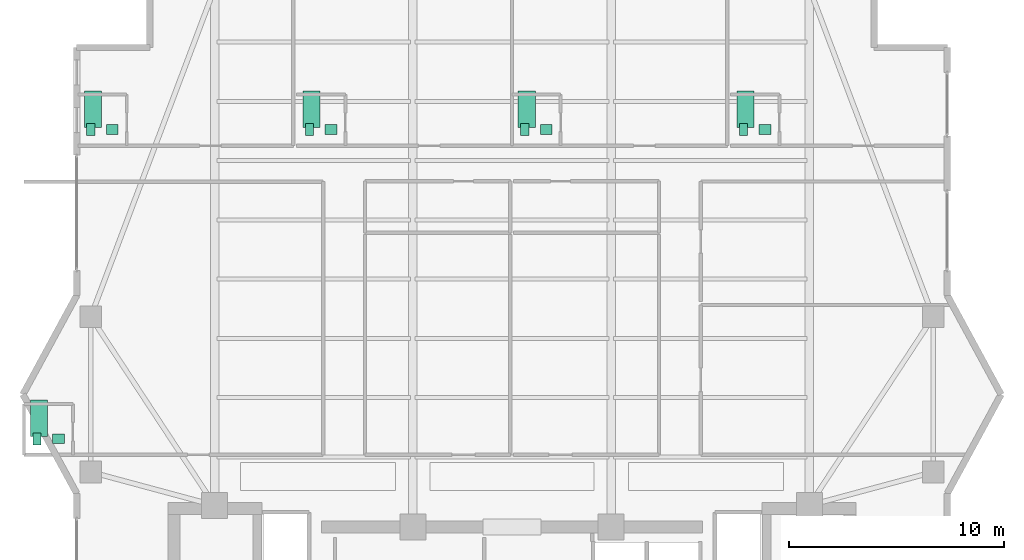
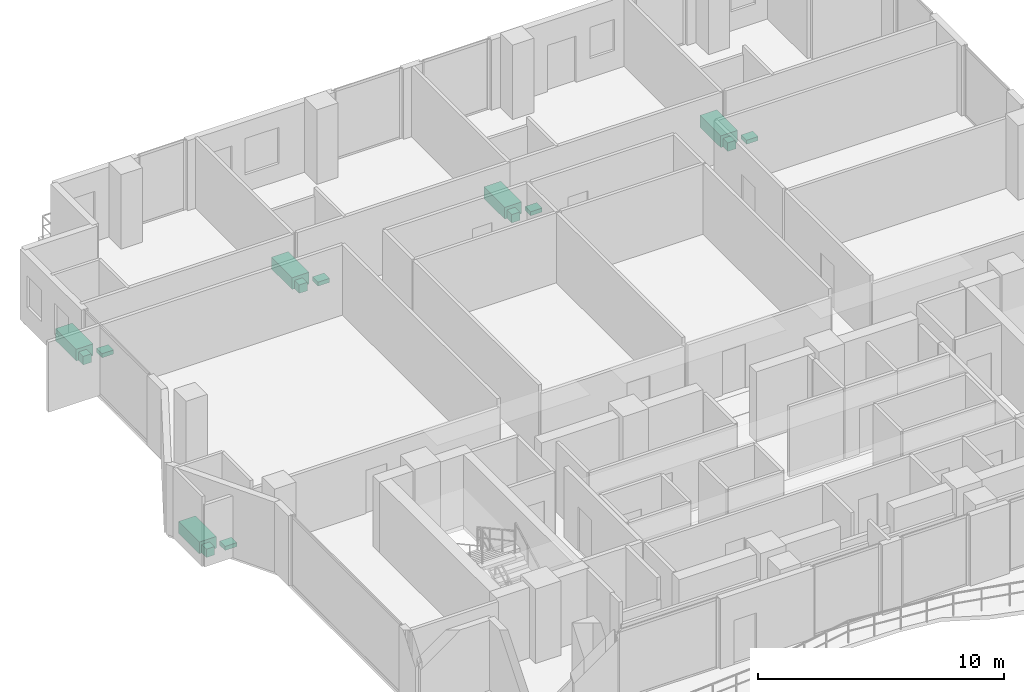
# One storey, part 25 of 25: 15 sanitary terminals.
"""IFC4 building model written with IfcOpenShell, lengths in metres."""

from ifc_helpers import new_model, si_unit, direction, frame, origin, origin_2d, place, context, subcontext, project, spatial, rectangle, extrude, material, type_object, element, save


model = new_model("IFC4")

# Units and contexts
model_context = context("Model", 3, precision=1e-05, world=origin(), true_north=direction((0.0, 1.0)))
body_context = subcontext(model_context, "Body", "Model", "MODEL_VIEW")
ifc_project = project(units=[si_unit("LENGTHUNIT", "METRE"), si_unit("AREAUNIT", "SQUARE_METRE"), si_unit("VOLUMEUNIT", "CUBIC_METRE"), si_unit("PLANEANGLEUNIT", "RADIAN"), si_unit("MASSUNIT", "GRAM", prefix="KILO")], contexts=[model_context])

# Site, building, storey
site_placement = place(None, origin())
site = spatial("IfcSite", under=ifc_project, at=site_placement, CompositionType="ELEMENT")
building_placement = place(site_placement, origin())
building = spatial("IfcBuilding", under=site, at=building_placement, Name="Zuhayl Quay Hotel", CompositionType="ELEMENT")
storey_placement = place(building_placement, frame((0.0, 0.0, 258.14990234375)))
storey = spatial("IfcBuildingStorey", under=building, at=storey_placement, Name="L65", CompositionType="ELEMENT", Elevation=258.14990234375)

# Sanitary terminals
ifc_material = material(Name="Vitreous Porcelain Sanitaryware")
sanitary_terminal_type_1 = type_object("IfcSanitaryTerminalType", Name="SAN_BASIN", PredefinedType="WASHHANDBASIN", material=ifc_material)
for number, where, z_axis, x_axis, name in (
    (1, (-18.550048828125, 31.7900390625, 0.0), (0.0, 0.0, 1.0), (1.0, 0.0, 0.0), "L65 Sanitary Fixture WASHHANDBASIN"),
    (2, (-8.39990234375, 31.7900390625, 0.0), (0.0, 0.0, 1.0), (1.0, 0.0, 0.0), "L65 Sanitary Fixture WASHHANDBASIN"),
    (3, (1.590087890625, 31.7900390625, 0.0), (0.0, 0.0, 1.0), (1.0, 0.0, 0.0), "L65 Sanitary Fixture WASHHANDBASIN"),
    (4, (11.739990234375, 31.7900390625, 0.0), (0.0, 0.0, 1.0), (1.0, 0.0, 0.0), "L65 Sanitary Fixture WASHHANDBASIN"),
    (5, (-21.050048828125, 17.43994140625, 0.0), (0.0, 0.0, 1.0), (1.0, 0.0, 0.0), "L65 Sanitary Fixture WASHHANDBASIN"),
):
    element("IfcSanitaryTerminal", number, at=place(storey_placement, frame(where, z_axis=z_axis, x_axis=x_axis)), inside=storey, type_object=sanitary_terminal_type_1, Name=name, PredefinedType="WASHHANDBASIN", context=body_context, shape_type="SweptSolid", body=[
        extrude(rectangle(XDim=0.550048828125, YDim=0.449951171875, at=origin_2d()), origin(), (0.0, 0.0, 1.0), 0.199951171875),
    ])
sanitary_terminal_type_2 = type_object("IfcSanitaryTerminalType", Name="SAN_BATH", PredefinedType="BATH", material=ifc_material)
for number, where, z_axis, x_axis, name in (
    (6, (-19.449951171875, 32.739990234375, 0.0), (0.0, 0.0, 1.0), (1.0, 0.0, 0.0), "L65 Sanitary Fixture BATH"),
    (7, (-9.300048828125, 32.739990234375, 0.0), (0.0, 0.0, 1.0), (1.0, 0.0, 0.0), "L65 Sanitary Fixture BATH"),
    (8, (0.68994140625, 32.739990234375, 0.0), (0.0, 0.0, 1.0), (1.0, 0.0, 0.0), "L65 Sanitary Fixture BATH"),
    (9, (10.840087890625, 32.739990234375, 0.0), (0.0, 0.0, 1.0), (1.0, 0.0, 0.0), "L65 Sanitary Fixture BATH"),
    (10, (-21.949951171875, 18.389892578125, 0.0), (0.0, 0.0, 1.0), (1.0, 0.0, 0.0), "L65 Sanitary Fixture BATH"),
):
    element("IfcSanitaryTerminal", number, at=place(storey_placement, frame(where, z_axis=z_axis, x_axis=x_axis)), inside=storey, type_object=sanitary_terminal_type_2, Name=name, PredefinedType="BATH", context=body_context, shape_type="SweptSolid", body=[
        extrude(rectangle(XDim=0.800048828125, YDim=1.699951171875, at=origin_2d()), origin(), (0.0, 0.0, 1.0), 0.580078125),
    ])
sanitary_terminal_type_3 = type_object("IfcSanitaryTerminalType", Name="SAN_WC", PredefinedType="TOILETPAN", material=ifc_material)
for number, where, z_axis, x_axis, name in (
    (11, (-19.550048828125, 31.7900390625, 0.000244140625), (0.0, 0.0, 1.0), (1.0, 0.0, 0.0), "L65 Sanitary Fixture TOILETPAN"),
    (12, (-9.39990234375, 31.7900390625, 0.000244140625), (0.0, 0.0, 1.0), (1.0, 0.0, 0.0), "L65 Sanitary Fixture TOILETPAN"),
    (13, (0.590087890625, 31.7900390625, 0.000244140625), (0.0, 0.0, 1.0), (1.0, 0.0, 0.0), "L65 Sanitary Fixture TOILETPAN"),
    (14, (10.739990234375, 31.7900390625, 0.000244140625), (0.0, 0.0, 1.0), (1.0, 0.0, 0.0), "L65 Sanitary Fixture TOILETPAN"),
    (15, (-22.050048828125, 17.43994140625, 0.000244140625), (0.0, 0.0, 1.0), (1.0, 0.0, 0.0), "L65 Sanitary Fixture TOILETPAN"),
):
    element("IfcSanitaryTerminal", number, at=place(storey_placement, frame(where, z_axis=z_axis, x_axis=x_axis)), inside=storey, type_object=sanitary_terminal_type_3, Name=name, PredefinedType="TOILETPAN", context=body_context, shape_type="SweptSolid", body=[
        extrude(rectangle(XDim=0.3798828125, YDim=0.56005859375, at=origin_2d()), origin(), (0.0, 0.0, 1.0), 0.419921875),
    ])

save(model, "model.ifc")
